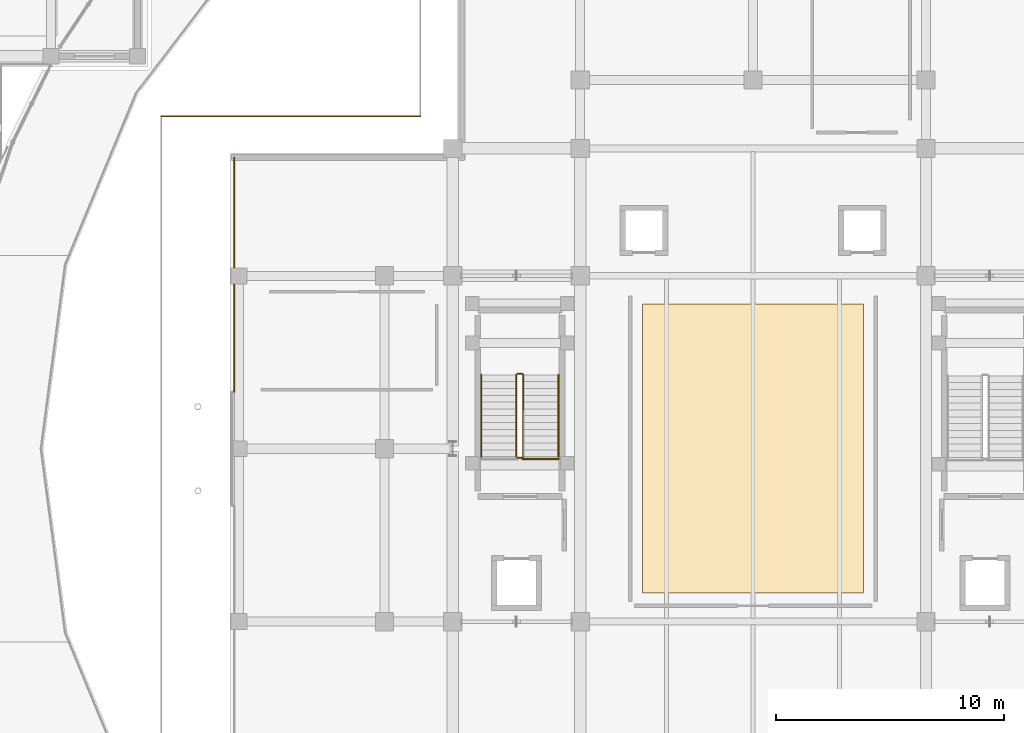
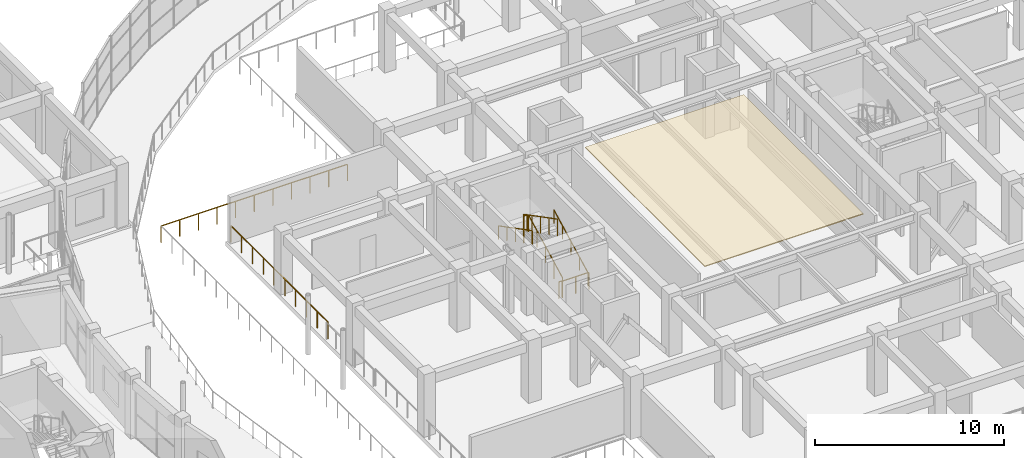
# One storey, part 73 of 83: 9 railings, 1 covering.
"""IFC4 building model written with IfcOpenShell, lengths in metres."""

from ifc_helpers import new_model, si_unit, direction, frame, origin, origin_2d, place, context, subcontext, project, spatial, polyline, rectangle, outline, extrude, material, layer, layer_set, type_object, element, save


model = new_model("IFC4")

# Units and contexts
model_context = context("Model", 3, precision=1e-05, world=origin(), true_north=direction((0.0, 1.0)))
body_context = subcontext(model_context, "Body", "Model", "MODEL_VIEW")
ifc_project = project(units=[si_unit("LENGTHUNIT", "METRE"), si_unit("AREAUNIT", "SQUARE_METRE"), si_unit("VOLUMEUNIT", "CUBIC_METRE"), si_unit("PLANEANGLEUNIT", "RADIAN"), si_unit("MASSUNIT", "GRAM", prefix="KILO")], contexts=[model_context])

# Site, building, storey
site_placement = place(None, origin())
site = spatial("IfcSite", under=ifc_project, at=site_placement, CompositionType="ELEMENT")
building_placement = place(site_placement, origin())
building = spatial("IfcBuilding", under=site, at=building_placement, Name="Saryqyr Civic Hall", CompositionType="ELEMENT")
storey_placement = place(building_placement, frame((0.0, 0.0, 9.14990234375)))
storey = spatial("IfcBuildingStorey", under=building, at=storey_placement, Name="L02", CompositionType="ELEMENT", Elevation=9.14990234375)

# Railing
ifc_material_1 = material(Name="Stainless steel and laminated glass", Category="steel")
ifc_layer_1 = layer(ifc_material_1, 0.06005859375, Name="Stainless steel and laminated glass")
ifc_layer_set_1 = layer_set([ifc_layer_1], Name="Stainless steel and laminated glass")
railing_type_1 = type_object("IfcRailingType", Name="ENV-RLG-BAL-1100", PredefinedType="BALUSTRADE", material=ifc_layer_set_1)
railing_1_placement = place(storey_placement, frame((42.3798828125, 98.6201171875, 0.0)))
element("IfcRailing", 1, at=railing_1_placement, inside=storey, type_object=railing_type_1, Name="Perimeter safety balustrade V1-STEPG-L02-G09", PredefinedType="BALUSTRADE", context=body_context, shape_type="SweptSolid", body=[
    extrude(rectangle(XDim=0.048095703125, YDim=0.048095703125, at=origin_2d()), frame((0.0, 0.0, 1.076171875), z_axis=(-1.0, 0.0, 0.0), x_axis=(0.0, -1.0, 0.0)), (0.0, 0.0, 1.0), 11.39990234375),
    extrude(rectangle(XDim=0.0419921875, YDim=0.0419921875, at=origin_2d()), origin(), (0.0, 0.0, 1.0), 1.052001953125),
    extrude(rectangle(XDim=0.0419921875, YDim=0.0419921875, at=origin_2d()), frame((-1.139892578125, 0.0, 0.0)), (0.0, 0.0, 1.0), 1.052001953125),
    extrude(rectangle(XDim=0.0419921875, YDim=0.0419921875, at=origin_2d()), frame((-2.280029296875, 0.0, 0.0)), (0.0, 0.0, 1.0), 1.052001953125),
    extrude(rectangle(XDim=0.0419921875, YDim=0.0419921875, at=origin_2d()), frame((-3.419921875, 0.0, 0.0)), (0.0, 0.0, 1.0), 1.052001953125),
    extrude(rectangle(XDim=0.0419921875, YDim=0.0419921875, at=origin_2d()), frame((-4.56005859375, 0.0, 0.0)), (0.0, 0.0, 1.0), 1.052001953125),
    extrude(rectangle(XDim=0.0419921875, YDim=0.0419921875, at=origin_2d()), frame((-5.699951171875, 0.0, 0.0)), (0.0, 0.0, 1.0), 1.052001953125),
    extrude(rectangle(XDim=0.0419921875, YDim=0.0419921875, at=origin_2d()), frame((-6.83984375, 0.0, 0.0)), (0.0, 0.0, 1.0), 1.052001953125),
    extrude(rectangle(XDim=0.0419921875, YDim=0.0419921875, at=origin_2d()), frame((-7.97998046875, 0.0, 0.0)), (0.0, 0.0, 1.0), 1.052001953125),
    extrude(rectangle(XDim=0.0419921875, YDim=0.0419921875, at=origin_2d()), frame((-9.119873046875, 0.0, 0.0)), (0.0, 0.0, 1.0), 1.052001953125),
    extrude(rectangle(XDim=0.0419921875, YDim=0.0419921875, at=origin_2d()), frame((-10.260009765625, 0.0, 0.0)), (0.0, 0.0, 1.0), 1.052001953125),
    extrude(rectangle(XDim=0.0419921875, YDim=0.0419921875, at=origin_2d()), frame((-11.39990234375, 0.0, 0.0)), (0.0, 0.0, 1.0), 1.052001953125),
])

# Covering
ifc_material_2 = material(Name="Mineral-fibre acoustic ceiling tile", Category="acoustic_tile")
ifc_layer_2 = layer(ifc_material_2, 0.06005859375, Name="Mineral-fibre acoustic ceiling tile")
ifc_layer_set_2 = layer_set([ifc_layer_2], Name="Mineral-fibre acoustic ceiling tile")
covering_type = type_object("IfcCoveringType", Name="INT-COV-CEIL-60", PredefinedType="CEILING", material=ifc_layer_set_2)
covering_placement = place(storey_placement, frame((0.0, 0.0, 3.72998046875)))
element("IfcCovering", 2, at=covering_placement, inside=storey, type_object=covering_type, Name="Acoustic ceiling Principal Plenary Committee Hall", PredefinedType="CEILING", context=body_context, shape_type="SweptSolid", body=[
    extrude(outline(polyline([(52.14990234375, 77.64990234375), (52.14990234375, 90.35009765625), (61.85009765625, 90.35009765625), (61.85009765625, 77.64990234375), (52.14990234375, 77.64990234375)])), origin(), (0.0, 0.0, 1.0), 0.06005859375),
])

# Railings
ifc_material_3 = material(Name="Warm brushed brass and laminated glass", Category="glass")
ifc_layer_3 = layer(ifc_material_3, 0.06005859375, Name="Warm brushed brass and laminated glass")
ifc_layer_set_3 = layer_set([ifc_layer_3], Name="Warm brushed brass and laminated glass")
railing_type_2 = type_object("IfcRailingType", Name="INT-RLG-BAL-1100", PredefinedType="BALUSTRADE", material=ifc_layer_set_3)
railing_2_placement = place(storey_placement, frame((34.199951171875, 86.5, 0.0)))
element("IfcRailing", 3, at=railing_2_placement, inside=storey, type_object=railing_type_2, Name="Perimeter safety balustrade V1-JNTGB-L02-02-G01", PredefinedType="BALUSTRADE", context=body_context, shape_type="SweptSolid", body=[
    extrude(rectangle(XDim=0.048095703125, YDim=0.048095703125, at=origin_2d()), frame((0.0, 0.0, 1.076171875), z_axis=(0.0, 1.0, 0.0), x_axis=(-1.0, 0.0, 0.0)), (0.0, 0.0, 1.0), 10.300048828125),
    extrude(rectangle(XDim=0.0419921875, YDim=0.0419921875, at=origin_2d()), origin(), (0.0, 0.0, 1.0), 1.052001953125),
    extrude(rectangle(XDim=0.0419921875, YDim=0.0419921875, at=origin_2d()), frame((0.0, 1.14453125, 0.0)), (0.0, 0.0, 1.0), 1.052001953125),
    extrude(rectangle(XDim=0.0419921875, YDim=0.0419921875, at=origin_2d()), frame((0.0, 2.288818359375, 0.0)), (0.0, 0.0, 1.0), 1.052001953125),
    extrude(rectangle(XDim=0.0419921875, YDim=0.0419921875, at=origin_2d()), frame((0.0, 3.433349609375, 0.0)), (0.0, 0.0, 1.0), 1.052001953125),
    extrude(rectangle(XDim=0.0419921875, YDim=0.0419921875, at=origin_2d()), frame((0.0, 4.577880859375, 0.0)), (0.0, 0.0, 1.0), 1.052001953125),
    extrude(rectangle(XDim=0.0419921875, YDim=0.0419921875, at=origin_2d()), frame((0.0, 5.72216796875, 0.0)), (0.0, 0.0, 1.0), 1.052001953125),
    extrude(rectangle(XDim=0.0419921875, YDim=0.0419921875, at=origin_2d()), frame((0.0, 6.86669921875, 0.0)), (0.0, 0.0, 1.0), 1.052001953125),
    extrude(rectangle(XDim=0.0419921875, YDim=0.0419921875, at=origin_2d()), frame((0.0, 8.01123046875, 0.0)), (0.0, 0.0, 1.0), 1.052001953125),
    extrude(rectangle(XDim=0.0419921875, YDim=0.0419921875, at=origin_2d()), frame((0.0, 9.155517578125, 0.0)), (0.0, 0.0, 1.0), 1.052001953125),
    extrude(rectangle(XDim=0.0419921875, YDim=0.0419921875, at=origin_2d()), frame((0.0, 10.300048828125, 0.0)), (0.0, 0.0, 1.0), 1.052001953125),
])
railing_3_placement = place(storey_placement, frame((46.89990234375, 83.64990234375, 0.15576171875)))
element("IfcRailing", 4, at=railing_3_placement, inside=storey, type_object=railing_type_2, Name="L02 ST-1 stair guard 1", PredefinedType="BALUSTRADE", context=body_context, shape_type="SweptSolid", body=[
    extrude(rectangle(XDim=0.048095703125, YDim=0.048095703125, at=origin_2d()), frame((0.0, 0.0, 1.076171875), z_axis=(0.0, 0.887485663002, 0.460835326299), x_axis=(-1.0, 0.0, 0.0)), (0.0, 0.0, 1.0), 4.056396484375),
    extrude(rectangle(XDim=0.0419921875, YDim=0.0419921875, at=origin_2d()), origin(), (0.0, 0.0, 1.0), 1.052001953125),
    extrude(rectangle(XDim=0.0419921875, YDim=0.0419921875, at=origin_2d()), frame((0.0, 0.89990234375, 0.46728515625)), (0.0, 0.0, 1.0), 1.052001953125),
    extrude(rectangle(XDim=0.0419921875, YDim=0.0419921875, at=origin_2d()), frame((0.0, 1.800048828125, 0.9345703125)), (0.0, 0.0, 1.0), 1.052001953125),
    extrude(rectangle(XDim=0.0419921875, YDim=0.0419921875, at=origin_2d()), frame((0.0, 2.7001953125, 1.402099609375)), (0.0, 0.0, 1.0), 1.052001953125),
    extrude(rectangle(XDim=0.0419921875, YDim=0.0419921875, at=origin_2d()), frame((0.0, 3.60009765625, 1.869384765625)), (0.0, 0.0, 1.0), 1.052001953125),
])
railing_4_placement = place(storey_placement, frame((46.85009765625, 87.300048828125, 2.025146484375)))
element("IfcRailing", 5, at=railing_4_placement, inside=storey, type_object=railing_type_2, Name="L02 ST-1 stair guard 2", PredefinedType="BALUSTRADE", context=body_context, shape_type="SweptSolid", body=[
    extrude(rectangle(XDim=0.048095703125, YDim=0.048095703125, at=origin_2d()), frame((0.0, 0.0, 1.076171875), z_axis=(-1.0, 0.0, 0.0), x_axis=(0.0, -1.0, 0.0)), (0.0, 0.0, 1.0), 0.2001953125),
    extrude(rectangle(XDim=0.0419921875, YDim=0.0419921875, at=origin_2d()), origin(), (0.0, 0.0, 1.0), 1.052001953125),
    extrude(rectangle(XDim=0.0419921875, YDim=0.0419921875, at=origin_2d()), frame((-0.2001953125, 0.0, 0.0)), (0.0, 0.0, 1.0), 1.052001953125),
])
railing_5_placement = place(storey_placement, frame((46.60009765625, 87.25, 2.180908203125)))
element("IfcRailing", 6, at=railing_5_placement, inside=storey, type_object=railing_type_2, Name="L02 ST-1 stair guard 3", PredefinedType="BALUSTRADE", context=body_context, shape_type="SweptSolid", body=[
    extrude(rectangle(XDim=0.048095703125, YDim=0.048095703125, at=origin_2d()), frame((0.0, 0.0, 1.076171875), z_axis=(0.0, -0.887510277101, 0.460787920893), x_axis=(1.0, 0.0, 0.0)), (0.0, 0.0, 1.0), 4.056396484375),
    extrude(rectangle(XDim=0.0419921875, YDim=0.0419921875, at=origin_2d()), origin(), (0.0, 0.0, 1.0), 1.052001953125),
    extrude(rectangle(XDim=0.0419921875, YDim=0.0419921875, at=origin_2d()), frame((0.0, -0.89990234375, 0.46728515625)), (0.0, 0.0, 1.0), 1.052001953125),
    extrude(rectangle(XDim=0.0419921875, YDim=0.0419921875, at=origin_2d()), frame((0.0, -1.800048828125, 0.9345703125)), (0.0, 0.0, 1.0), 1.052001953125),
    extrude(rectangle(XDim=0.0419921875, YDim=0.0419921875, at=origin_2d()), frame((0.0, -2.7001953125, 1.40185546875)), (0.0, 0.0, 1.0), 1.052001953125),
    extrude(rectangle(XDim=0.0419921875, YDim=0.0419921875, at=origin_2d()), frame((0.0, -3.60009765625, 1.869140625)), (0.0, 0.0, 1.0), 1.052001953125),
])
railing_6_placement = place(storey_placement, frame((46.85009765625, 83.60009765625, 0.0)))
element("IfcRailing", 7, at=railing_6_placement, inside=storey, type_object=railing_type_2, Name="L02 ST-1 stair guard 4", PredefinedType="BALUSTRADE", context=body_context, shape_type="SweptSolid", body=[
    extrude(rectangle(XDim=0.048095703125, YDim=0.048095703125, at=origin_2d()), frame((0.0, 0.0, 1.076171875), z_axis=(-1.0, 0.0, 0.0), x_axis=(0.0, -1.0, 0.0)), (0.0, 0.0, 1.0), 0.2001953125),
    extrude(rectangle(XDim=0.0419921875, YDim=0.0419921875, at=origin_2d()), origin(), (0.0, 0.0, 1.0), 1.052001953125),
    extrude(rectangle(XDim=0.0419921875, YDim=0.0419921875, at=origin_2d()), frame((-0.2001953125, 0.0, 0.0)), (0.0, 0.0, 1.0), 1.052001953125),
])
railing_7_placement = place(storey_placement, frame((46.85009765625, 83.550048828125, 0.0)))
element("IfcRailing", 8, at=railing_7_placement, inside=storey, type_object=railing_type_2, Name="Interior deck safety balustrade L02-097", PredefinedType="BALUSTRADE", context=body_context, shape_type="SweptSolid", body=[
    extrude(rectangle(XDim=0.048095703125, YDim=0.048095703125, at=origin_2d()), frame((0.0, 0.0, 1.09619140625), z_axis=(1.0, 0.0, 0.0), x_axis=(0.0, 1.0, 0.0)), (0.0, 0.0, 1.0), 1.60498046875),
    extrude(rectangle(XDim=0.0419921875, YDim=0.0419921875, at=origin_2d()), origin(), (0.0, 0.0, 1.0), 1.072021484375),
    extrude(rectangle(XDim=0.0419921875, YDim=0.0419921875, at=origin_2d()), frame((0.802490234375, 0.0, 0.0)), (0.0, 0.0, 1.0), 1.072021484375),
    extrude(rectangle(XDim=0.0419921875, YDim=0.0419921875, at=origin_2d()), frame((1.60498046875, 0.0, 0.0)), (0.0, 0.0, 1.0), 1.072021484375),
])
ifc_material_4 = material(Name="Stainless steel", Category="steel")
ifc_layer_4 = layer(ifc_material_4, 0.050048828125, Name="Stainless steel")
ifc_layer_set_4 = layer_set([ifc_layer_4], Name="Stainless steel")
railing_type_3 = type_object("IfcRailingType", Name="INT-RLG-HND-900", PredefinedType="HANDRAIL", material=ifc_layer_set_4)
railing_8_placement = place(storey_placement, frame((48.449951171875, 83.64990234375, 0.15576171875)))
element("IfcRailing", 9, at=railing_8_placement, inside=storey, type_object=railing_type_3, Name="L02 ST-1 stair handrail 1", PredefinedType="HANDRAIL", context=body_context, shape_type="SweptSolid", body=[
    extrude(rectangle(XDim=0.048095703125, YDim=0.048095703125, at=origin_2d()), frame((0.0, 0.0, 0.8759765625), z_axis=(0.0, 0.887485663002, 0.460835326299), x_axis=(-1.0, 0.0, 0.0)), (0.0, 0.0, 1.0), 4.056396484375),
    extrude(rectangle(XDim=0.0419921875, YDim=0.0419921875, at=origin_2d()), origin(), (0.0, 0.0, 1.0), 0.851806640625),
    extrude(rectangle(XDim=0.0419921875, YDim=0.0419921875, at=origin_2d()), frame((0.0, 0.89990234375, 0.46728515625)), (0.0, 0.0, 1.0), 0.851806640625),
    extrude(rectangle(XDim=0.0419921875, YDim=0.0419921875, at=origin_2d()), frame((0.0, 1.800048828125, 0.9345703125)), (0.0, 0.0, 1.0), 0.851806640625),
    extrude(rectangle(XDim=0.0419921875, YDim=0.0419921875, at=origin_2d()), frame((0.0, 2.7001953125, 1.402099609375)), (0.0, 0.0, 1.0), 0.851806640625),
    extrude(rectangle(XDim=0.0419921875, YDim=0.0419921875, at=origin_2d()), frame((0.0, 3.60009765625, 1.869384765625)), (0.0, 0.0, 1.0), 0.851806640625),
])
railing_9_placement = place(storey_placement, frame((45.050048828125, 87.25, 2.180908203125)))
element("IfcRailing", 10, at=railing_9_placement, inside=storey, type_object=railing_type_3, Name="L02 ST-1 stair handrail 2", PredefinedType="HANDRAIL", context=body_context, shape_type="SweptSolid", body=[
    extrude(rectangle(XDim=0.048095703125, YDim=0.048095703125, at=origin_2d()), frame((0.0, 0.0, 0.8759765625), z_axis=(0.0, -0.887510277101, 0.460787920893), x_axis=(1.0, 0.0, 0.0)), (0.0, 0.0, 1.0), 4.056396484375),
    extrude(rectangle(XDim=0.0419921875, YDim=0.0419921875, at=origin_2d()), origin(), (0.0, 0.0, 1.0), 0.851806640625),
    extrude(rectangle(XDim=0.0419921875, YDim=0.0419921875, at=origin_2d()), frame((0.0, -0.89990234375, 0.46728515625)), (0.0, 0.0, 1.0), 0.851806640625),
    extrude(rectangle(XDim=0.0419921875, YDim=0.0419921875, at=origin_2d()), frame((0.0, -1.800048828125, 0.9345703125)), (0.0, 0.0, 1.0), 0.851806640625),
    extrude(rectangle(XDim=0.0419921875, YDim=0.0419921875, at=origin_2d()), frame((0.0, -2.7001953125, 1.40185546875)), (0.0, 0.0, 1.0), 0.851806640625),
    extrude(rectangle(XDim=0.0419921875, YDim=0.0419921875, at=origin_2d()), frame((0.0, -3.60009765625, 1.869140625)), (0.0, 0.0, 1.0), 0.851806640625),
])

save(model, "model.ifc")
